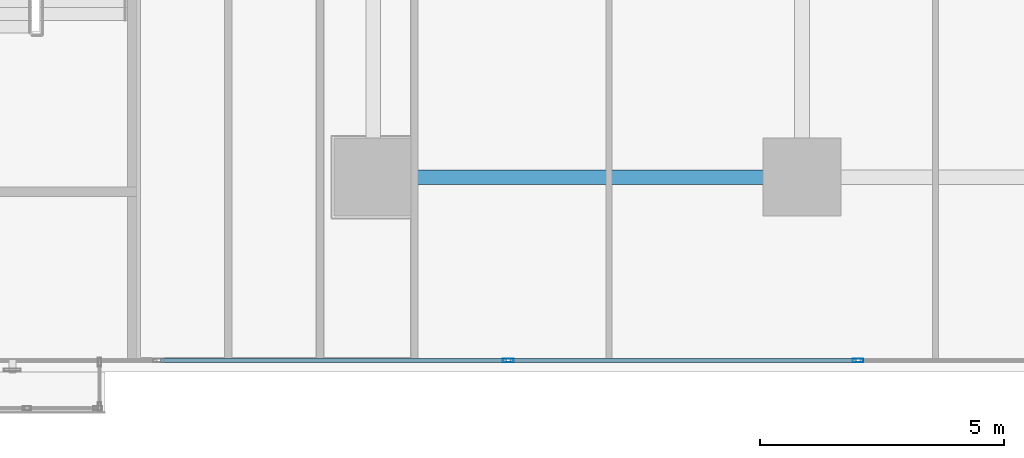
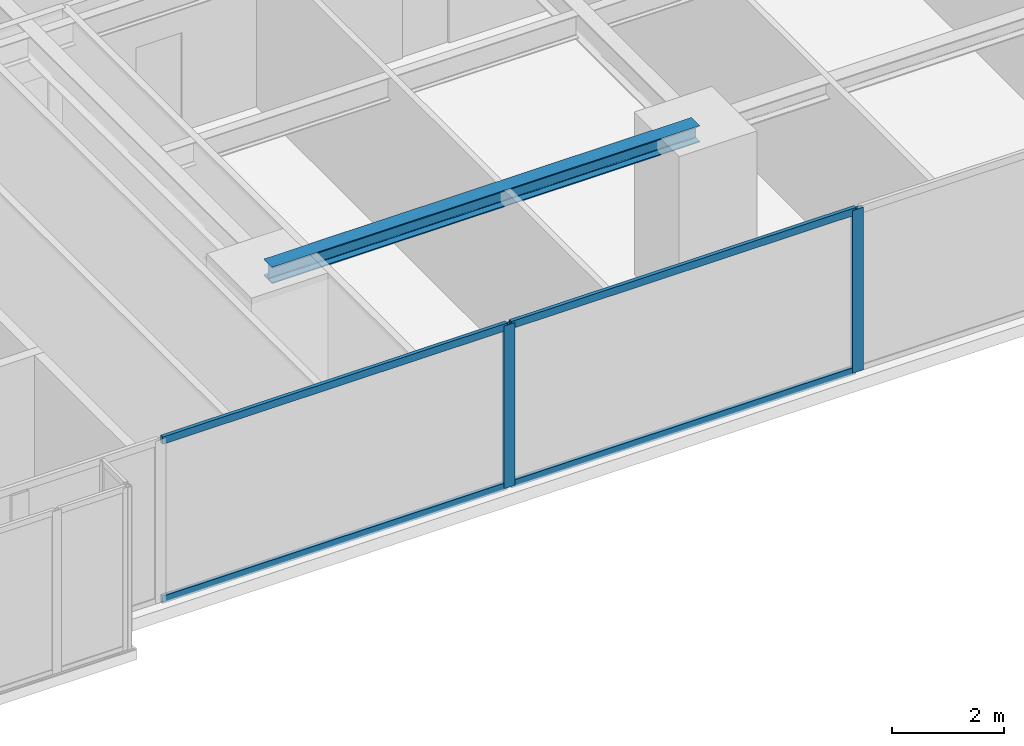
# One storey, part 9 of 27: 6 members, 1 beam, 1 element without a shape of its own.
"""IFC4 building model written with IfcOpenShell, lengths in metres."""

from ifc_helpers import new_model, si_unit, direction, frame, origin, origin_with_axes, origin_2d, place, context, subcontext, project, spatial, hollow_rectangle, i_section, extrude, source, transform, mapped, material, layer, layer_set, material_profile, profile_set, type_object, element, aggregate, save


model = new_model("IFC4")

# Units and contexts
model_context = context("Model", 3, precision=1e-05, world=origin(), true_north=direction((0.0, 1.0)))
body_context = subcontext(model_context, "Body", "Model", "MODEL_VIEW")
ifc_project = project(units=[si_unit("LENGTHUNIT", "METRE"), si_unit("AREAUNIT", "SQUARE_METRE"), si_unit("VOLUMEUNIT", "CUBIC_METRE"), si_unit("PLANEANGLEUNIT", "RADIAN"), si_unit("MASSUNIT", "GRAM", prefix="KILO")], contexts=[model_context])

# Site, building, storey
site_placement = place(None, origin())
site = spatial("IfcSite", under=ifc_project, at=site_placement, CompositionType="ELEMENT")
building_placement = place(site_placement, origin())
building = spatial("IfcBuilding", under=site, at=building_placement, Name="Kolvaren Waterfront Exchange", CompositionType="ELEMENT")
storey_placement = place(building_placement, frame((0.0, 0.0, 63.800048828125)))
storey = spatial("IfcBuildingStorey", under=building, at=storey_placement, Name="L16", CompositionType="ELEMENT", Elevation=63.800048828125)

# Beam
ifc_material_1 = material(Name="Steel S355", Category="steel")
ifc_material_profile_1 = material_profile(ifc_material_1, i_section(OverallWidth=0.300048828125, OverallDepth=0.360107421875, WebThickness=0.012451171875, FlangeThickness=0.0224609375, FilletRadius=0.027099609375, at=origin_2d()), Name="HEB360")
ifc_profile_set_1 = profile_set([ifc_material_profile_1], Name="Steel S355")
beam_type = type_object("IfcBeamType", Name="STR-BM-HEB360", PredefinedType="SPANDREL", material=ifc_profile_set_1)
beam_placement = place(storey_placement, frame((36.800048828125, 5.199951171875, 3.35986328125), z_axis=(1.0, 0.0, 0.0), x_axis=(0.0, 1.0, 0.0)))
element("IfcBeam", 1, at=beam_placement, inside=storey, type_object=beam_type, Name="L16 east-arm spandrel S3", PredefinedType="SPANDREL", context=body_context, shape_type="SweptSolid", body=[
    extrude(i_section(OverallWidth=0.300048828125, OverallDepth=0.360107421875, WebThickness=0.012451171875, FlangeThickness=0.0224609375, FilletRadius=0.027099609375, at=origin_2d()), origin(), (0.0, 0.0, 1.0), 8.800048828125),
])

# Curtain wall, members
ifc_material_2 = material(Name="Anodised bronze aluminium 6063-T6", Category="aluminium")
ifc_layer = layer(ifc_material_2, 0.219970703125, Name="Anodised bronze aluminium 6063-T6")
ifc_layer_set = layer_set([ifc_layer], Name="Anodised bronze aluminium 6063-T6")
curtain_wall_type = type_object("IfcCurtainWallType", Name="ARC-CW-SYS1", PredefinedType="USERDEFINED", material=ifc_layer_set)
curtain_wall_placement = place(storey_placement, origin())
curtain_wall = element("IfcCurtainWall", 2, at=curtain_wall_placement, inside=storey, type_object=curtain_wall_type, Name="L16 stick curtain wall CW1 (CW-L16-S)", ObjectType="STICK CURTAIN WALL", PredefinedType="USERDEFINED")
ifc_material_3 = material(Name="Anodised aluminium 6063-T6", Category="aluminium")
ifc_material_profile_2 = material_profile(ifc_material_3, hollow_rectangle(XDim=0.074951171875, YDim=0.159912109375, WallThickness=0.00439453125, at=origin_2d()), Name="ALU-TRN-160x75x4.5")
ifc_profile_set_2 = profile_set([ifc_material_profile_2], Name="Anodised aluminium 6063-T6")
member_type_1 = type_object("IfcMemberType", Name="ARC-CWT-160", PredefinedType="USERDEFINED", material=ifc_profile_set_2)
shared_shape_1 = source(origin_with_axes(), body_context, "Body", "SweptSolid", [
    extrude(hollow_rectangle(XDim=0.074951171875, YDim=0.159912109375, WallThickness=0.00439453125, at=origin_2d()), origin(), (0.0, 0.0, 1.0), 7.094970703125),
])
member_1_placement = place(storey_placement, frame((32.43994140625, 1.43994140625, 0.037353515625), z_axis=(1.0, 0.0, 0.0), x_axis=(0.0, 1.0, 0.0)))
member_1 = element("IfcMember", 3, at=member_1_placement, type_object=member_type_1, Name="CW1 transom 5.1", ObjectType="TRANSOM", PredefinedType="USERDEFINED", context=body_context, shape_type="MappedRepresentation", body=[
    mapped(shared_shape_1, transform((0.0, 0.0, 0.0), x_axis=(1.0, 0.0, 0.0), y_axis=(0.0, 1.0, 0.0), z_axis=(0.0, 0.0, 1.0), scale=1.0)),
])
member_2_placement = place(storey_placement, frame((32.43994140625, 1.43994140625, 3.50244140625), z_axis=(1.0, 0.0, 0.0), x_axis=(0.0, 1.0, 0.0)))
member_2 = element("IfcMember", 4, at=member_2_placement, type_object=member_type_1, Name="CW1 transom 5.2", ObjectType="TRANSOM", PredefinedType="USERDEFINED", context=body_context, shape_type="MappedRepresentation", body=[
    mapped(shared_shape_1, transform((0.0, 0.0, 0.0), x_axis=(1.0, 0.0, 0.0), y_axis=(0.0, 1.0, 0.0), z_axis=(0.0, 0.0, 1.0), scale=1.0)),
])
member_3_placement = place(storey_placement, frame((39.614990234375, 1.43994140625, 0.037353515625), z_axis=(1.0, 0.0, 0.0), x_axis=(0.0, 1.0, 0.0)))
member_3 = element("IfcMember", 5, at=member_3_placement, type_object=member_type_1, Name="CW1 transom 6.1", ObjectType="TRANSOM", PredefinedType="USERDEFINED", context=body_context, shape_type="MappedRepresentation", body=[
    mapped(shared_shape_1, transform((0.0, 0.0, 0.0), x_axis=(1.0, 0.0, 0.0), y_axis=(0.0, 1.0, 0.0), z_axis=(0.0, 0.0, 1.0), scale=1.0)),
])
member_4_placement = place(storey_placement, frame((39.614990234375, 1.43994140625, 3.50244140625), z_axis=(1.0, 0.0, 0.0), x_axis=(0.0, 1.0, 0.0)))
member_4 = element("IfcMember", 6, at=member_4_placement, type_object=member_type_1, Name="CW1 transom 6.2", ObjectType="TRANSOM", PredefinedType="USERDEFINED", context=body_context, shape_type="MappedRepresentation", body=[
    mapped(shared_shape_1, transform((0.0, 0.0, 0.0), x_axis=(1.0, 0.0, 0.0), y_axis=(0.0, 1.0, 0.0), z_axis=(0.0, 0.0, 1.0), scale=1.0)),
])
ifc_material_profile_3 = material_profile(ifc_material_3, hollow_rectangle(XDim=0.080078125, YDim=0.219970703125, WallThickness=0.0048828125, at=origin_2d()), Name="ALU-MUL-220x80x5")
ifc_profile_set_3 = profile_set([ifc_material_profile_3], Name="Anodised aluminium 6063-T6")
member_type_2 = type_object("IfcMemberType", Name="ARC-CWM-220", PredefinedType="MULLION", material=ifc_profile_set_3)
shared_shape_2 = source(origin_with_axes(), body_context, "Body", "SweptSolid", [
    extrude(hollow_rectangle(XDim=0.080078125, YDim=0.219970703125, WallThickness=0.0048828125, at=origin_2d()), origin(), (0.0, 0.0, 1.0), 3.5400390625),
])
member_5_placement = place(storey_placement, frame((39.574951171875, 1.43994140625, 0.0), z_axis=(0.0, 0.0, 1.0), x_axis=(0.0, 1.0, 0.0)))
member_5 = element("IfcMember", 7, at=member_5_placement, type_object=member_type_2, Name="CW1 mullion 6", PredefinedType="MULLION", context=body_context, shape_type="MappedRepresentation", body=[
    mapped(shared_shape_2, transform((0.0, 0.0, 0.0), x_axis=(1.0, 0.0, 0.0), y_axis=(0.0, 1.0, 0.0), z_axis=(0.0, 0.0, 1.0), scale=1.0)),
])
member_6_placement = place(storey_placement, frame((46.75, 1.43994140625, 0.0), z_axis=(0.0, 0.0, 1.0), x_axis=(0.0, 1.0, 0.0)))
member_6 = element("IfcMember", 8, at=member_6_placement, type_object=member_type_2, Name="CW1 mullion 7", PredefinedType="MULLION", context=body_context, shape_type="MappedRepresentation", body=[
    mapped(shared_shape_2, transform((0.0, 0.0, 0.0), x_axis=(1.0, 0.0, 0.0), y_axis=(0.0, 1.0, 0.0), z_axis=(0.0, 0.0, 1.0), scale=1.0)),
])
aggregate(curtain_wall, [member_5, member_6, member_1, member_2, member_3, member_4])

save(model, "model.ifc")
